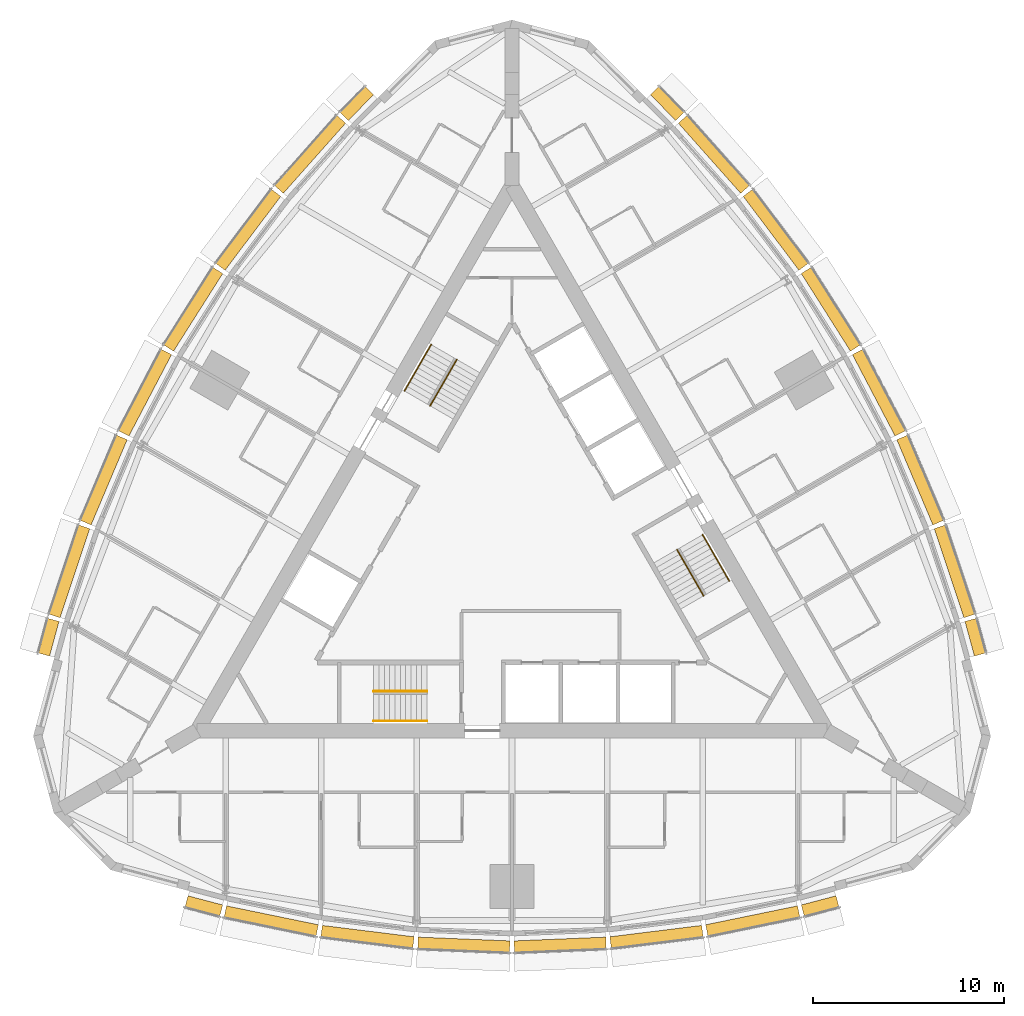
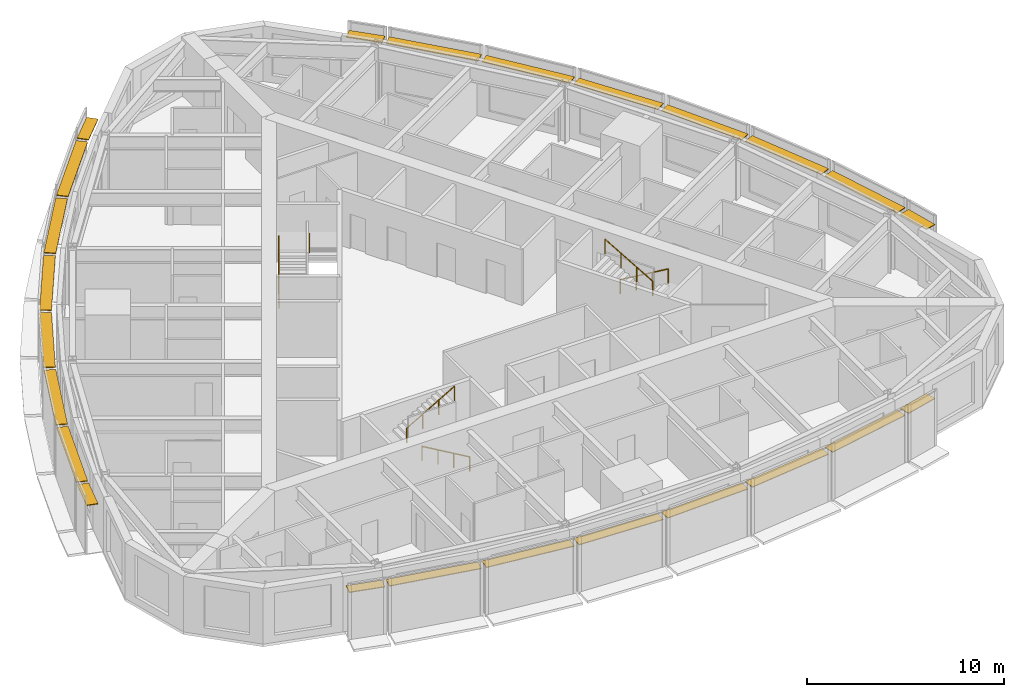
# One storey, part 15 of 15: 24 shading devices, 6 railings.
"""IFC4 building model written with IfcOpenShell, lengths in metres."""

from ifc_helpers import new_model, si_unit, direction, frame, origin, origin_2d, place, context, subcontext, project, spatial, rectangle, circle, extrude, material, type_object, element, save


model = new_model("IFC4")

# Units and contexts
model_context = context("Model", 3, precision=1e-05, world=origin(), true_north=direction((0.0, 1.0)))
body_context = subcontext(model_context, "Body", "Model", "MODEL_VIEW")
ifc_project = project(units=[si_unit("LENGTHUNIT", "METRE"), si_unit("AREAUNIT", "SQUARE_METRE"), si_unit("VOLUMEUNIT", "CUBIC_METRE"), si_unit("PLANEANGLEUNIT", "RADIAN"), si_unit("MASSUNIT", "GRAM", prefix="KILO")], contexts=[model_context])

# Site, building, storey
site_placement = place(None, origin())
site = spatial("IfcSite", under=ifc_project, at=site_placement, CompositionType="ELEMENT")
building_placement = place(site_placement, origin())
building = spatial("IfcBuilding", under=site, at=building_placement, Name="Trikona Tower", CompositionType="ELEMENT")
storey_placement = place(building_placement, frame((0.0, 0.0, 208.10009765625)))
storey = spatial("IfcBuildingStorey", under=building, at=storey_placement, Name="L55", CompositionType="ELEMENT", Elevation=208.10009765625)

# Shading devices
ifc_material_1 = material(Name="Aluminium louvre blade, pale anodised", Category="aluminium")
shading_device_type = type_object("IfcShadingDeviceType", Name="Cavity louvre 600", PredefinedType="USERDEFINED", material=ifc_material_1)
shading_device_1_placement = place(storey_placement, frame((-16.14404296875, -18.707763671875, 2.97509765625), z_axis=(0.0, 0.0, 1.0), x_axis=(0.966993038714, -0.254802792527, 0.0)))
element("IfcShadingDevice", 1, at=shading_device_1_placement, inside=storey, type_object=shading_device_type, Name="Cavity louvre L55-00", ObjectType="LOUVRE", PredefinedType="USERDEFINED", context=body_context, shape_type="SweptSolid", body=[
    extrude(rectangle(XDim=1.87841796875, YDim=0.60009765625, at=origin_2d()), origin(), (0.0, 0.0, 1.0), 0.050048828125),
])
shading_device_2_placement = place(storey_placement, frame((-12.614013671875, -19.492919921875, 2.97509765625), z_axis=(0.0, 0.0, 1.0), x_axis=(0.979457514864, -0.201650629992, 0.0)))
element("IfcShadingDevice", 2, at=shading_device_2_placement, inside=storey, type_object=shading_device_type, Name="Cavity louvre L55-01", ObjectType="LOUVRE", PredefinedType="USERDEFINED", context=body_context, shape_type="SweptSolid", body=[
    extrude(rectangle(XDim=4.914794921875, YDim=0.60009765625, at=origin_2d()), origin(), (0.0, 0.0, 1.0), 0.050048828125),
])
shading_device_3_placement = place(storey_placement, frame((-7.5693359375, -20.323974609375, 2.97509765625), z_axis=(0.0, 0.0, 1.0), x_axis=(0.992455266199, -0.122607277901, 0.0)))
element("IfcShadingDevice", 3, at=shading_device_3_placement, inside=storey, type_object=shading_device_type, Name="Cavity louvre L55-02", ObjectType="LOUVRE", PredefinedType="USERDEFINED", context=body_context, shape_type="SweptSolid", body=[
    extrude(rectangle(XDim=4.847900390625, YDim=0.60009765625, at=origin_2d()), origin(), (0.0, 0.0, 1.0), 0.050048828125),
])
for number, where, z_axis, x_axis, name in (
    (4, (-2.523193359375, -20.739501953125, 2.97509765625), (0.0, 0.0, 1.0), (0.999153186307, -0.041144991109, 0.0), "Cavity louvre L55-03"),
    (5, (2.523193359375, -20.739501953125, 2.97509765625), (0.0, 0.0, 1.0), (0.999153186307, 0.041144991109, 0.0), "Cavity louvre L55-04"),
):
    element("IfcShadingDevice", number, at=place(storey_placement, frame(where, z_axis=z_axis, x_axis=x_axis)), inside=storey, type_object=shading_device_type, Name=name, ObjectType="LOUVRE", PredefinedType="USERDEFINED", context=body_context, shape_type="SweptSolid", body=[
        extrude(rectangle(XDim=4.814208984375, YDim=0.60009765625, at=origin_2d()), origin(), (0.0, 0.0, 1.0), 0.050048828125),
    ])
shading_device_4_placement = place(storey_placement, frame((7.5693359375, -20.323974609375, 2.97509765625), z_axis=(0.0, 0.0, 1.0), x_axis=(0.992455266199, 0.122607277901, 0.0)))
element("IfcShadingDevice", 6, at=shading_device_4_placement, inside=storey, type_object=shading_device_type, Name="Cavity louvre L55-05", ObjectType="LOUVRE", PredefinedType="USERDEFINED", context=body_context, shape_type="SweptSolid", body=[
    extrude(rectangle(XDim=4.847900390625, YDim=0.60009765625, at=origin_2d()), origin(), (0.0, 0.0, 1.0), 0.050048828125),
])
shading_device_5_placement = place(storey_placement, frame((12.614013671875, -19.492919921875, 2.97509765625), z_axis=(0.0, 0.0, 1.0), x_axis=(0.979457514864, 0.201650629992, 0.0)))
element("IfcShadingDevice", 7, at=shading_device_5_placement, inside=storey, type_object=shading_device_type, Name="Cavity louvre L55-06", ObjectType="LOUVRE", PredefinedType="USERDEFINED", context=body_context, shape_type="SweptSolid", body=[
    extrude(rectangle(XDim=4.914794921875, YDim=0.60009765625, at=origin_2d()), origin(), (0.0, 0.0, 1.0), 0.050048828125),
])
for number, where, z_axis, x_axis, name in (
    (8, (16.14404296875, -18.707763671875, 2.97509765625), (0.0, 0.0, 1.0), (0.966993038714, 0.254802792527, 0.0), "Cavity louvre L55-07"),
    (9, (24.273193359375, -4.627197265625, 2.97509765625), (0.0, 0.0, 1.0), (-0.262822408229, 0.964844226667, 0.0), "Cavity louvre L55-12"),
):
    element("IfcShadingDevice", number, at=place(storey_placement, frame(where, z_axis=z_axis, x_axis=x_axis)), inside=storey, type_object=shading_device_type, Name=name, ObjectType="LOUVRE", PredefinedType="USERDEFINED", context=body_context, shape_type="SweptSolid", body=[
        extrude(rectangle(XDim=1.87841796875, YDim=0.60009765625, at=origin_2d()), origin(), (0.0, 0.0, 1.0), 0.050048828125),
    ])
shading_device_6_placement = place(storey_placement, frame((23.1884765625, -1.177490234375, 2.97509765625), z_axis=(0.0, 0.0, 1.0), x_axis=(-0.315092532747, 0.949060954737, 0.0)))
element("IfcShadingDevice", 10, at=shading_device_6_placement, inside=storey, type_object=shading_device_type, Name="Cavity louvre L55-13", ObjectType="LOUVRE", PredefinedType="USERDEFINED", context=body_context, shape_type="SweptSolid", body=[
    extrude(rectangle(XDim=4.914794921875, YDim=0.60009765625, at=origin_2d()), origin(), (0.0, 0.0, 1.0), 0.050048828125),
])
shading_device_7_placement = place(storey_placement, frame((21.385498046875, 3.606689453125, 2.97509765625), z_axis=(0.0, 0.0, 1.0), x_axis=(-0.390051437015, 0.920793069306, 0.0)))
element("IfcShadingDevice", 11, at=shading_device_7_placement, inside=storey, type_object=shading_device_type, Name="Cavity louvre L55-14", ObjectType="LOUVRE", PredefinedType="USERDEFINED", context=body_context, shape_type="SweptSolid", body=[
    extrude(rectangle(XDim=4.847900390625, YDim=0.60009765625, at=origin_2d()), origin(), (0.0, 0.0, 1.0), 0.050048828125),
])
for number, where, z_axis, x_axis, name in (
    (12, (19.222412109375, 8.1845703125, 2.97509765625), (0.0, 0.0, 1.0), (-0.463951716224, 0.885860488459, 0.0), "Cavity louvre L55-15"),
    (13, (16.69921875, 12.554931640625, 2.97509765625), (0.0, 0.0, 1.0), (-0.535204777743, 0.844722348397, 0.0), "Cavity louvre L55-16"),
):
    element("IfcShadingDevice", number, at=place(storey_placement, frame(where, z_axis=z_axis, x_axis=x_axis)), inside=storey, type_object=shading_device_type, Name=name, ObjectType="LOUVRE", PredefinedType="USERDEFINED", context=body_context, shape_type="SweptSolid", body=[
        extrude(rectangle(XDim=4.814208984375, YDim=0.60009765625, at=origin_2d()), origin(), (0.0, 0.0, 1.0), 0.050048828125),
    ])
shading_device_8_placement = place(storey_placement, frame((13.81640625, 16.717041015625, 2.97509765625), z_axis=(0.0, 0.0, 1.0), x_axis=(-0.602401684924, 0.798193090674, 0.0)))
element("IfcShadingDevice", 14, at=shading_device_8_placement, inside=storey, type_object=shading_device_type, Name="Cavity louvre L55-17", ObjectType="LOUVRE", PredefinedType="USERDEFINED", context=body_context, shape_type="SweptSolid", body=[
    extrude(rectangle(XDim=4.847900390625, YDim=0.60009765625, at=origin_2d()), origin(), (0.0, 0.0, 1.0), 0.050048828125),
])
shading_device_9_placement = place(storey_placement, frame((10.574462890625, 20.67041015625, 2.97509765625), z_axis=(0.0, 0.0, 1.0), x_axis=(-0.664367239113, 0.747406296196, 0.0)))
element("IfcShadingDevice", 15, at=shading_device_9_placement, inside=storey, type_object=shading_device_type, Name="Cavity louvre L55-18", ObjectType="LOUVRE", PredefinedType="USERDEFINED", context=body_context, shape_type="SweptSolid", body=[
    extrude(rectangle(XDim=4.914794921875, YDim=0.60009765625, at=origin_2d()), origin(), (0.0, 0.0, 1.0), 0.050048828125),
])
for number, where, z_axis, x_axis, name in (
    (16, (8.12939453125, 23.3349609375, 2.97509765625), (0.0, 0.0, 1.0), (-0.704151057285, 0.710050201412, 0.0), "Cavity louvre L55-19"),
    (17, (-8.12939453125, 23.3349609375, 2.97509765625), (0.0, 0.0, 1.0), (-0.704151057285, -0.710050201412, 0.0), "Cavity louvre L55-24"),
):
    element("IfcShadingDevice", number, at=place(storey_placement, frame(where, z_axis=z_axis, x_axis=x_axis)), inside=storey, type_object=shading_device_type, Name=name, ObjectType="LOUVRE", PredefinedType="USERDEFINED", context=body_context, shape_type="SweptSolid", body=[
        extrude(rectangle(XDim=1.87841796875, YDim=0.60009765625, at=origin_2d()), origin(), (0.0, 0.0, 1.0), 0.050048828125),
    ])
shading_device_10_placement = place(storey_placement, frame((-10.574462890625, 20.67041015625, 2.97509765625), z_axis=(0.0, 0.0, 1.0), x_axis=(-0.664367239113, -0.747406296196, 0.0)))
element("IfcShadingDevice", 18, at=shading_device_10_placement, inside=storey, type_object=shading_device_type, Name="Cavity louvre L55-25", ObjectType="LOUVRE", PredefinedType="USERDEFINED", context=body_context, shape_type="SweptSolid", body=[
    extrude(rectangle(XDim=4.914794921875, YDim=0.60009765625, at=origin_2d()), origin(), (0.0, 0.0, 1.0), 0.050048828125),
])
shading_device_11_placement = place(storey_placement, frame((-13.81640625, 16.717041015625, 2.97509765625), z_axis=(0.0, 0.0, 1.0), x_axis=(-0.602401684924, -0.798193090674, 0.0)))
element("IfcShadingDevice", 19, at=shading_device_11_placement, inside=storey, type_object=shading_device_type, Name="Cavity louvre L55-26", ObjectType="LOUVRE", PredefinedType="USERDEFINED", context=body_context, shape_type="SweptSolid", body=[
    extrude(rectangle(XDim=4.847900390625, YDim=0.60009765625, at=origin_2d()), origin(), (0.0, 0.0, 1.0), 0.050048828125),
])
for number, where, z_axis, x_axis, name in (
    (20, (-16.69921875, 12.554931640625, 2.97509765625), (0.0, 0.0, 1.0), (-0.535204777743, -0.844722348397, 0.0), "Cavity louvre L55-27"),
    (21, (-19.222412109375, 8.1845703125, 2.97509765625), (0.0, 0.0, 1.0), (-0.463951716224, -0.885860488459, 0.0), "Cavity louvre L55-28"),
):
    element("IfcShadingDevice", number, at=place(storey_placement, frame(where, z_axis=z_axis, x_axis=x_axis)), inside=storey, type_object=shading_device_type, Name=name, ObjectType="LOUVRE", PredefinedType="USERDEFINED", context=body_context, shape_type="SweptSolid", body=[
        extrude(rectangle(XDim=4.814208984375, YDim=0.60009765625, at=origin_2d()), origin(), (0.0, 0.0, 1.0), 0.050048828125),
    ])
shading_device_12_placement = place(storey_placement, frame((-21.385498046875, 3.606689453125, 2.97509765625), z_axis=(0.0, 0.0, 1.0), x_axis=(-0.390051437015, -0.920793069306, 0.0)))
element("IfcShadingDevice", 22, at=shading_device_12_placement, inside=storey, type_object=shading_device_type, Name="Cavity louvre L55-29", ObjectType="LOUVRE", PredefinedType="USERDEFINED", context=body_context, shape_type="SweptSolid", body=[
    extrude(rectangle(XDim=4.847900390625, YDim=0.60009765625, at=origin_2d()), origin(), (0.0, 0.0, 1.0), 0.050048828125),
])
shading_device_13_placement = place(storey_placement, frame((-23.1884765625, -1.177490234375, 2.97509765625), z_axis=(0.0, 0.0, 1.0), x_axis=(-0.315092532747, -0.949060954737, 0.0)))
element("IfcShadingDevice", 23, at=shading_device_13_placement, inside=storey, type_object=shading_device_type, Name="Cavity louvre L55-30", ObjectType="LOUVRE", PredefinedType="USERDEFINED", context=body_context, shape_type="SweptSolid", body=[
    extrude(rectangle(XDim=4.914794921875, YDim=0.60009765625, at=origin_2d()), origin(), (0.0, 0.0, 1.0), 0.050048828125),
])
shading_device_14_placement = place(storey_placement, frame((-24.273193359375, -4.627197265625, 2.97509765625), z_axis=(0.0, 0.0, 1.0), x_axis=(-0.262822408229, -0.964844226667, 0.0)))
element("IfcShadingDevice", 24, at=shading_device_14_placement, inside=storey, type_object=shading_device_type, Name="Cavity louvre L55-31", ObjectType="LOUVRE", PredefinedType="USERDEFINED", context=body_context, shape_type="SweptSolid", body=[
    extrude(rectangle(XDim=1.87841796875, YDim=0.60009765625, at=origin_2d()), origin(), (0.0, 0.0, 1.0), 0.050048828125),
])

# Railings
ifc_material_2 = material(Name="Stainless steel handrail", Category="steel")
railing_type = type_object("IfcRailingType", Name="Stair handrail", PredefinedType="HANDRAIL", material=ifc_material_2)
railing_1_placement = place(storey_placement, frame((-4.449951171875, -9.016357421875, 0.16357421875)))
element("IfcRailing", 25, at=railing_1_placement, inside=storey, type_object=railing_type, Name="Stair handrail A L55 1", PredefinedType="HANDRAIL", context=body_context, shape_type="SweptSolid", body=[
    extrude(circle(Radius=0.02392578125, at=origin_2d()), frame((0.0, 0.0, 0.8759765625), z_axis=(-0.863393664356, 0.0, 0.504530851732), x_axis=(0.0, -1.0, 0.0)), (0.0, 0.0, 1.0), 3.2431640625),
    extrude(circle(Radius=0.02099609375, at=origin_2d()), origin(), (0.0, 0.0, 1.0), 0.851806640625),
    extrude(circle(Radius=0.02099609375, at=origin_2d()), frame((-0.933349609375, 0.0, 0.54541015625)), (0.0, 0.0, 1.0), 0.851806640625),
    extrude(circle(Radius=0.02099609375, at=origin_2d()), frame((-1.86669921875, 0.0, 1.0908203125)), (0.0, 0.0, 1.0), 0.851806640625),
    extrude(circle(Radius=0.02099609375, at=origin_2d()), frame((-2.800048828125, 0.0, 1.63623046875)), (0.0, 0.0, 1.0), 0.851806640625),
])
railing_2_placement = place(storey_placement, frame((-7.25, -7.46630859375, 1.963623046875)))
element("IfcRailing", 26, at=railing_2_placement, inside=storey, type_object=railing_type, Name="Stair handrail A L55 2", PredefinedType="HANDRAIL", context=body_context, shape_type="SweptSolid", body=[
    extrude(circle(Radius=0.02392578125, at=origin_2d()), frame((0.0, 0.0, 0.8759765625), z_axis=(0.863393664356, 0.0, 0.504530851732), x_axis=(0.0, 1.0, 0.0)), (0.0, 0.0, 1.0), 3.2431640625),
    extrude(circle(Radius=0.02099609375, at=origin_2d()), origin(), (0.0, 0.0, 1.0), 0.851806640625),
    extrude(circle(Radius=0.02099609375, at=origin_2d()), frame((0.933349609375, 0.0, 0.54541015625)), (0.0, 0.0, 1.0), 0.851806640625),
    extrude(circle(Radius=0.02099609375, at=origin_2d()), frame((1.86669921875, 0.0, 1.0908203125)), (0.0, 0.0, 1.0), 0.851806640625),
    extrude(circle(Radius=0.02099609375, at=origin_2d()), frame((2.800048828125, 0.0, 1.63623046875)), (0.0, 0.0, 1.0), 0.851806640625),
])
railing_3_placement = place(storey_placement, frame((9.9833984375, 0.740966796875, 0.16357421875)))
element("IfcRailing", 27, at=railing_3_placement, inside=storey, type_object=railing_type, Name="Stair handrail B L55 1", PredefinedType="HANDRAIL", context=body_context, shape_type="SweptSolid", body=[
    extrude(circle(Radius=0.02392578125, at=origin_2d()), frame((0.0, 0.0, 0.8759765625), z_axis=(0.43165272891, -0.747751404999, 0.504523297725), x_axis=(0.866056369097, 0.49994636267, 0.0)), (0.0, 0.0, 1.0), 3.2431640625),
    extrude(circle(Radius=0.02099609375, at=origin_2d()), origin(), (0.0, 0.0, 1.0), 0.851806640625),
    extrude(circle(Radius=0.02099609375, at=origin_2d()), frame((0.466552734375, -0.808349609375, 0.54541015625)), (0.0, 0.0, 1.0), 0.851806640625),
    extrude(circle(Radius=0.02099609375, at=origin_2d()), frame((0.933349609375, -1.61669921875, 1.0908203125)), (0.0, 0.0, 1.0), 0.851806640625),
    extrude(circle(Radius=0.02099609375, at=origin_2d()), frame((1.39990234375, -2.425048828125, 1.63623046875)), (0.0, 0.0, 1.0), 0.851806640625),
])
railing_4_placement = place(storey_placement, frame((10.041015625, -2.458984375, 1.963623046875)))
element("IfcRailing", 28, at=railing_4_placement, inside=storey, type_object=railing_type, Name="Stair handrail B L55 2", PredefinedType="HANDRAIL", context=body_context, shape_type="SweptSolid", body=[
    extrude(circle(Radius=0.02392578125, at=origin_2d()), frame((0.0, 0.0, 0.8759765625), z_axis=(-0.43165272891, 0.747751404999, 0.504523297725), x_axis=(-0.866056369097, -0.49994636267, 0.0)), (0.0, 0.0, 1.0), 3.2431640625),
    extrude(circle(Radius=0.02099609375, at=origin_2d()), origin(), (0.0, 0.0, 1.0), 0.851806640625),
    extrude(circle(Radius=0.02099609375, at=origin_2d()), frame((-0.466552734375, 0.808349609375, 0.54541015625)), (0.0, 0.0, 1.0), 0.851806640625),
    extrude(circle(Radius=0.02099609375, at=origin_2d()), frame((-0.933349609375, 1.61669921875, 1.0908203125)), (0.0, 0.0, 1.0), 0.851806640625),
    extrude(circle(Radius=0.02099609375, at=origin_2d()), frame((-1.39990234375, 2.425048828125, 1.63623046875)), (0.0, 0.0, 1.0), 0.851806640625),
])
railing_5_placement = place(storey_placement, frame((-5.63330078125, 8.275390625, 0.16357421875)))
element("IfcRailing", 29, at=railing_5_placement, inside=storey, type_object=railing_type, Name="Stair handrail C L55 1", PredefinedType="HANDRAIL", context=body_context, shape_type="SweptSolid", body=[
    extrude(circle(Radius=0.02392578125, at=origin_2d()), frame((0.0, 0.0, 0.8759765625), z_axis=(0.431677027627, 0.74771821388, 0.504551698492), x_axis=(-0.866034573852, 0.49998411664, 0.0)), (0.0, 0.0, 1.0), 3.242919921875),
    extrude(circle(Radius=0.02099609375, at=origin_2d()), origin(), (0.0, 0.0, 1.0), 0.851806640625),
    extrude(circle(Radius=0.02099609375, at=origin_2d()), frame((0.466552734375, 0.808349609375, 0.54541015625)), (0.0, 0.0, 1.0), 0.851806640625),
    extrude(circle(Radius=0.02099609375, at=origin_2d()), frame((0.933349609375, 1.616455078125, 1.0908203125)), (0.0, 0.0, 1.0), 0.851806640625),
    extrude(circle(Radius=0.02099609375, at=origin_2d()), frame((1.39990234375, 2.4248046875, 1.63623046875)), (0.0, 0.0, 1.0), 0.851806640625),
])
railing_6_placement = place(storey_placement, frame((-2.89111328125, 9.92529296875, 1.963623046875)))
element("IfcRailing", 30, at=railing_6_placement, inside=storey, type_object=railing_type, Name="Stair handrail C L55 2", PredefinedType="HANDRAIL", context=body_context, shape_type="SweptSolid", body=[
    extrude(circle(Radius=0.02392578125, at=origin_2d()), frame((0.0, 0.0, 0.8759765625), z_axis=(-0.43165272891, -0.747751404999, 0.504523297725), x_axis=(0.866056369097, -0.49994636267, 0.0)), (0.0, 0.0, 1.0), 3.2431640625),
    extrude(circle(Radius=0.02099609375, at=origin_2d()), origin(), (0.0, 0.0, 1.0), 0.851806640625),
    extrude(circle(Radius=0.02099609375, at=origin_2d()), frame((-0.466552734375, -0.808349609375, 0.54541015625)), (0.0, 0.0, 1.0), 0.851806640625),
    extrude(circle(Radius=0.02099609375, at=origin_2d()), frame((-0.933349609375, -1.61669921875, 1.0908203125)), (0.0, 0.0, 1.0), 0.851806640625),
    extrude(circle(Radius=0.02099609375, at=origin_2d()), frame((-1.39990234375, -2.425048828125, 1.63623046875)), (0.0, 0.0, 1.0), 0.851806640625),
])

save(model, "model.ifc")
